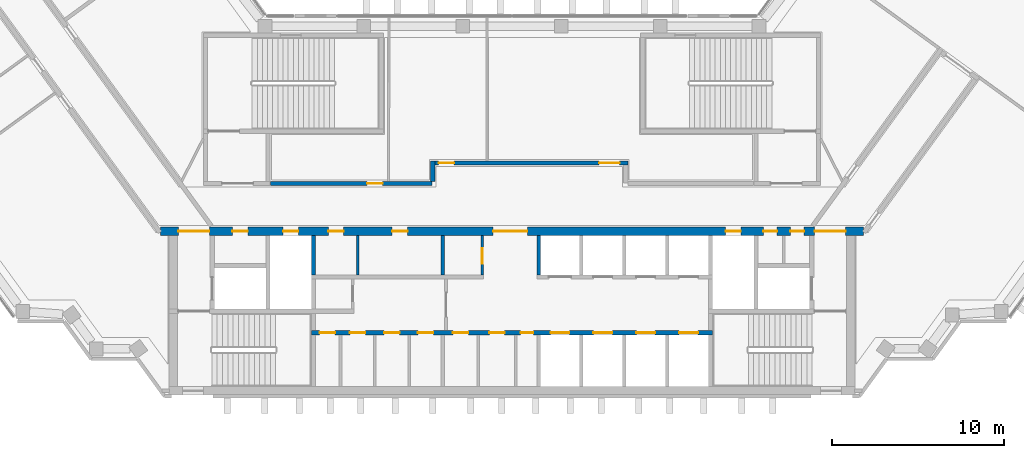
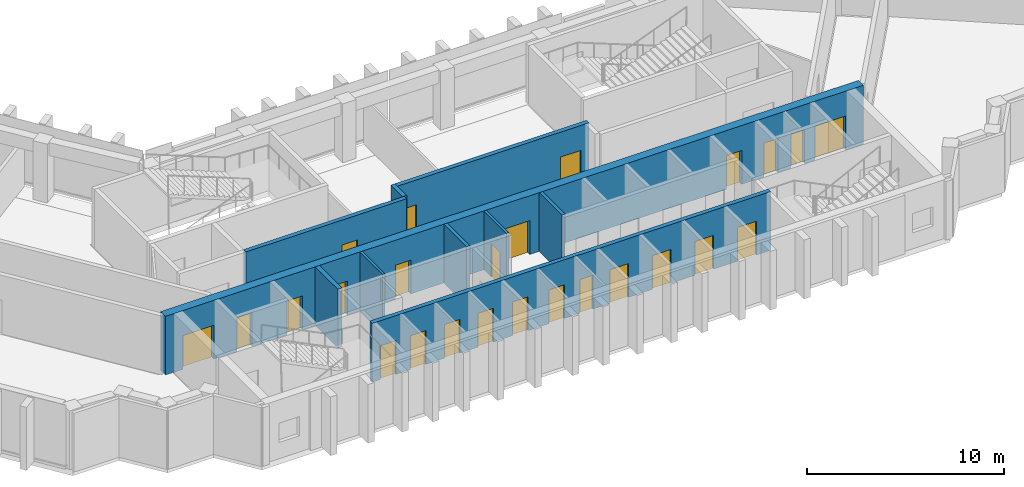
# One storey, part 5 of 9: 25 doors, 10 walls, 25 openings.
"""IFC4 building model written with IfcOpenShell, lengths in metres."""

from ifc_helpers import new_model, si_unit, direction, frame, frame_2d, origin, place, context, subcontext, project, spatial, rectangle, extrude, material, layer, layer_set, type_object, element, fill, save


model = new_model("IFC4")

# Units and contexts
model_context = context("Model", 3, precision=1e-05, world=origin(), true_north=direction((0.0, 1.0)))
body_context = subcontext(model_context, "Body", "Model", "MODEL_VIEW")
ifc_project = project(units=[si_unit("LENGTHUNIT", "METRE"), si_unit("AREAUNIT", "SQUARE_METRE"), si_unit("VOLUMEUNIT", "CUBIC_METRE"), si_unit("PLANEANGLEUNIT", "RADIAN"), si_unit("MASSUNIT", "GRAM", prefix="KILO")], contexts=[model_context])

# Site, building, storey
site_placement = place(None, origin())
site = spatial("IfcSite", under=ifc_project, at=site_placement, CompositionType="ELEMENT")
building_placement = place(site_placement, origin())
building = spatial("IfcBuilding", under=site, at=building_placement, Name="Quipu Civic Tower", CompositionType="ELEMENT")
storey_placement = place(building_placement, frame((0.0, 0.0, 194.0)))
storey = spatial("IfcBuildingStorey", under=building, at=storey_placement, Name="L45", CompositionType="ELEMENT", Elevation=194.0)

# Wall, openings, doors
ifc_material_1 = material(Name="Concrete C70/85", Category="concrete")
ifc_layer_1 = layer(ifc_material_1, 0.25)
ifc_layer_set_1 = layer_set([ifc_layer_1], Name="Concrete C70/85")
wall_type_1 = type_object("IfcWallType", Name="Core wall 250", PredefinedType="SHEAR", material=ifc_layer_set_1)
wall_1_placement = place(storey_placement, frame((11.699951171875, -7.375, 0.0), z_axis=(0.0, 0.0, 1.0), x_axis=(-1.0, 0.0, 0.0)))
wall_1 = element("IfcWall", 1, at=wall_1_placement, inside=storey, type_object=wall_type_1, Name="Core wall", PredefinedType="SHEAR", context=body_context, shape_type="SweptSolid", body=[
    extrude(rectangle(XDim=23.39990234375, YDim=0.25, at=frame_2d((11.699951171875, 0.0))), origin(), (0.0, 0.0, 1.0), 3.64990234375),
])
opening_1_placement = place(wall_1_placement, frame((22.011962890625, 0.0, 0.0)))
opening_1 = element("IfcOpeningElement", 2, at=opening_1_placement, cuts=wall_1, Name="Opening CD-01", PredefinedType="OPENING", context=body_context, shape_type="SweptSolid", body=[
    extrude(rectangle(XDim=0.89990234375, YDim=2.10009765625, at=frame_2d((0.449951171875, 1.050048828125))), frame((0.0, 0.135009765625, 0.0), z_axis=(0.0, -1.0, 0.0), x_axis=(1.0, 0.0, 0.0)), (0.0, 0.0, 1.0), 0.27001953125),
])
opening_2_placement = place(wall_1_placement, frame((20.25, 0.0, 0.0)))
opening_2 = element("IfcOpeningElement", 3, at=opening_2_placement, cuts=wall_1, Name="Opening CD-02", PredefinedType="OPENING", context=body_context, shape_type="SweptSolid", body=[
    extrude(rectangle(XDim=0.89990234375, YDim=2.10009765625, at=frame_2d((0.449951171875, 1.050048828125))), frame((0.0, 0.135009765625, 0.0), z_axis=(0.0, -1.0, 0.0), x_axis=(1.0, 0.0, 0.0)), (0.0, 0.0, 1.0), 0.27001953125),
])
opening_3_placement = place(wall_1_placement, frame((18.25, 0.0, 0.0)))
opening_3 = element("IfcOpeningElement", 4, at=opening_3_placement, cuts=wall_1, Name="Opening CD-03", PredefinedType="OPENING", context=body_context, shape_type="SweptSolid", body=[
    extrude(rectangle(XDim=0.89990234375, YDim=2.10009765625, at=frame_2d((0.449951171875, 1.050048828125))), frame((0.0, 0.135009765625, 0.0), z_axis=(0.0, -1.0, 0.0), x_axis=(1.0, 0.0, 0.0)), (0.0, 0.0, 1.0), 0.27001953125),
])
opening_4_placement = place(wall_1_placement, frame((16.287109375, 0.0, 0.0)))
opening_4 = element("IfcOpeningElement", 5, at=opening_4_placement, cuts=wall_1, Name="Opening CD-04", PredefinedType="OPENING", context=body_context, shape_type="SweptSolid", body=[
    extrude(rectangle(XDim=0.89990234375, YDim=2.10009765625, at=frame_2d((0.449951171875, 1.050048828125))), frame((0.0, 0.135009765625, 0.0), z_axis=(0.0, -1.0, 0.0), x_axis=(1.0, 0.0, 0.0)), (0.0, 0.0, 1.0), 0.27001953125),
])
opening_5_placement = place(wall_1_placement, frame((14.25, 0.0, 0.0)))
opening_5 = element("IfcOpeningElement", 6, at=opening_5_placement, cuts=wall_1, Name="Opening CD-05", PredefinedType="OPENING", context=body_context, shape_type="SweptSolid", body=[
    extrude(rectangle(XDim=0.89990234375, YDim=2.10009765625, at=frame_2d((0.449951171875, 1.050048828125))), frame((0.0, 0.135009765625, 0.0), z_axis=(0.0, -1.0, 0.0), x_axis=(1.0, 0.0, 0.0)), (0.0, 0.0, 1.0), 0.27001953125),
])
opening_6_placement = place(wall_1_placement, frame((12.125, 0.0, 0.0)))
opening_6 = element("IfcOpeningElement", 7, at=opening_6_placement, cuts=wall_1, Name="Opening CD-06", PredefinedType="OPENING", context=body_context, shape_type="SweptSolid", body=[
    extrude(rectangle(XDim=0.89990234375, YDim=2.10009765625, at=frame_2d((0.449951171875, 1.050048828125))), frame((0.0, 0.135009765625, 0.0), z_axis=(0.0, -1.0, 0.0), x_axis=(1.0, 0.0, 0.0)), (0.0, 0.0, 1.0), 0.27001953125),
])
opening_7_placement = place(wall_1_placement, frame((10.449951171875, 0.0, 0.0)))
opening_7 = element("IfcOpeningElement", 8, at=opening_7_placement, cuts=wall_1, Name="Opening CD-07", PredefinedType="OPENING", context=body_context, shape_type="SweptSolid", body=[
    extrude(rectangle(XDim=0.75, YDim=2.10009765625, at=frame_2d((0.375, 1.050048828125))), frame((0.0, 0.135009765625, 0.0), z_axis=(0.0, -1.0, 0.0), x_axis=(1.0, 0.0, 0.0)), (0.0, 0.0, 1.0), 0.27001953125),
])
opening_8_placement = place(wall_1_placement, frame((8.35009765625, 0.0, 0.0)))
opening_8 = element("IfcOpeningElement", 9, at=opening_8_placement, cuts=wall_1, Name="Opening LD-ML1", PredefinedType="OPENING", context=body_context, shape_type="SweptSolid", body=[
    extrude(rectangle(XDim=1.10009765625, YDim=2.10009765625, at=frame_2d((0.550048828125, 1.050048828125))), frame((0.0, 0.135009765625, 0.0), z_axis=(0.0, -1.0, 0.0), x_axis=(1.0, 0.0, 0.0)), (0.0, 0.0, 1.0), 0.27001953125),
])
opening_9_placement = place(wall_1_placement, frame((5.85009765625, 0.0, 0.0)))
opening_9 = element("IfcOpeningElement", 10, at=opening_9_placement, cuts=wall_1, Name="Opening LD-ML2", PredefinedType="OPENING", context=body_context, shape_type="SweptSolid", body=[
    extrude(rectangle(XDim=1.10009765625, YDim=2.10009765625, at=frame_2d((0.550048828125, 1.050048828125))), frame((0.0, 0.135009765625, 0.0), z_axis=(0.0, -1.0, 0.0), x_axis=(1.0, 0.0, 0.0)), (0.0, 0.0, 1.0), 0.27001953125),
])
opening_10_placement = place(wall_1_placement, frame((3.35009765625, 0.0, 0.0)))
opening_10 = element("IfcOpeningElement", 11, at=opening_10_placement, cuts=wall_1, Name="Opening LD-ML3", PredefinedType="OPENING", context=body_context, shape_type="SweptSolid", body=[
    extrude(rectangle(XDim=1.10009765625, YDim=2.10009765625, at=frame_2d((0.550048828125, 1.050048828125))), frame((0.0, 0.135009765625, 0.0), z_axis=(0.0, -1.0, 0.0), x_axis=(1.0, 0.0, 0.0)), (0.0, 0.0, 1.0), 0.27001953125),
])
opening_11_placement = place(wall_1_placement, frame((0.85009765625, 0.0, 0.0)))
opening_11 = element("IfcOpeningElement", 12, at=opening_11_placement, cuts=wall_1, Name="Opening LD-ML4", PredefinedType="OPENING", context=body_context, shape_type="SweptSolid", body=[
    extrude(rectangle(XDim=1.10009765625, YDim=2.10009765625, at=frame_2d((0.550048828125, 1.050048828125))), frame((0.0, 0.135009765625, 0.0), z_axis=(0.0, -1.0, 0.0), x_axis=(1.0, 0.0, 0.0)), (0.0, 0.0, 1.0), 0.27001953125),
])
ifc_material_2 = material(Name="Fire rated steel door", Category="steel")
door_type_1 = type_object("IfcDoorType", Name="Fire door FD60 750 x 2100", OperationType="NOTDEFINED", PredefinedType="DOOR", material=ifc_material_2)
door_1_placement = place(opening_7_placement, origin())
door_1 = element("IfcDoor", 13, at=door_1_placement, inside=storey, type_object=door_type_1, Name="Door", OperationType="SINGLE_SWING_LEFT", OverallHeight=2.10009765625, OverallWidth=0.75, PredefinedType="DOOR", context=body_context, shape_type="SweptSolid", body=[
    extrude(rectangle(XDim=0.75, YDim=2.10009765625, at=frame_2d((0.375, 1.050048828125))), frame((0.0, 0.02490234375, 0.0), z_axis=(0.0, -1.0, 0.0), x_axis=(1.0, 0.0, 0.0)), (0.0, 0.0, 1.0), 0.050048828125),
])
fill(opening_7, door_1)
ifc_material_3 = material(Name="Fire rated steel door", Category="steel")
door_type_2 = type_object("IfcDoorType", Name="Fire door FD60 900 x 2100", OperationType="NOTDEFINED", PredefinedType="DOOR", material=ifc_material_3)
door_2_placement = place(opening_1_placement, origin())
door_2 = element("IfcDoor", 14, at=door_2_placement, inside=storey, type_object=door_type_2, Name="Door", OperationType="SINGLE_SWING_RIGHT", OverallHeight=2.10009765625, OverallWidth=0.89990234375, PredefinedType="DOOR", context=body_context, shape_type="SweptSolid", body=[
    extrude(rectangle(XDim=0.89990234375, YDim=2.10009765625, at=frame_2d((0.449951171875, 1.050048828125))), frame((0.0, 0.02490234375, 0.0), z_axis=(0.0, -1.0, 0.0), x_axis=(1.0, 0.0, 0.0)), (0.0, 0.0, 1.0), 0.050048828125),
])
fill(opening_1, door_2)
door_3_placement = place(opening_2_placement, origin())
door_3 = element("IfcDoor", 15, at=door_3_placement, inside=storey, type_object=door_type_2, Name="Door", OperationType="SINGLE_SWING_RIGHT", OverallHeight=2.10009765625, OverallWidth=0.89990234375, PredefinedType="DOOR", context=body_context, shape_type="SweptSolid", body=[
    extrude(rectangle(XDim=0.89990234375, YDim=2.10009765625, at=frame_2d((0.449951171875, 1.050048828125))), frame((0.0, 0.02490234375, 0.0), z_axis=(0.0, -1.0, 0.0), x_axis=(1.0, 0.0, 0.0)), (0.0, 0.0, 1.0), 0.050048828125),
])
fill(opening_2, door_3)
door_4_placement = place(opening_3_placement, origin())
door_4 = element("IfcDoor", 16, at=door_4_placement, inside=storey, type_object=door_type_2, Name="Door", OperationType="SINGLE_SWING_RIGHT", OverallHeight=2.10009765625, OverallWidth=0.89990234375, PredefinedType="DOOR", context=body_context, shape_type="SweptSolid", body=[
    extrude(rectangle(XDim=0.89990234375, YDim=2.10009765625, at=frame_2d((0.449951171875, 1.050048828125))), frame((0.0, 0.02490234375, 0.0), z_axis=(0.0, -1.0, 0.0), x_axis=(1.0, 0.0, 0.0)), (0.0, 0.0, 1.0), 0.050048828125),
])
fill(opening_3, door_4)
door_5_placement = place(opening_4_placement, origin())
door_5 = element("IfcDoor", 17, at=door_5_placement, inside=storey, type_object=door_type_2, Name="Door", OperationType="SINGLE_SWING_RIGHT", OverallHeight=2.10009765625, OverallWidth=0.89990234375, PredefinedType="DOOR", context=body_context, shape_type="SweptSolid", body=[
    extrude(rectangle(XDim=0.89990234375, YDim=2.10009765625, at=frame_2d((0.449951171875, 1.050048828125))), frame((0.0, 0.02490234375, 0.0), z_axis=(0.0, -1.0, 0.0), x_axis=(1.0, 0.0, 0.0)), (0.0, 0.0, 1.0), 0.050048828125),
])
fill(opening_4, door_5)
door_6_placement = place(opening_5_placement, origin())
door_6 = element("IfcDoor", 18, at=door_6_placement, inside=storey, type_object=door_type_2, Name="WC door", OperationType="SINGLE_SWING_RIGHT", OverallHeight=2.10009765625, OverallWidth=0.89990234375, PredefinedType="DOOR", context=body_context, shape_type="SweptSolid", body=[
    extrude(rectangle(XDim=0.89990234375, YDim=2.10009765625, at=frame_2d((0.449951171875, 1.050048828125))), frame((0.0, 0.02490234375, 0.0), z_axis=(0.0, -1.0, 0.0), x_axis=(1.0, 0.0, 0.0)), (0.0, 0.0, 1.0), 0.050048828125),
])
fill(opening_5, door_6)
door_7_placement = place(opening_6_placement, origin())
door_7 = element("IfcDoor", 19, at=door_7_placement, inside=storey, type_object=door_type_2, Name="WC door", OperationType="SINGLE_SWING_RIGHT", OverallHeight=2.10009765625, OverallWidth=0.89990234375, PredefinedType="DOOR", context=body_context, shape_type="SweptSolid", body=[
    extrude(rectangle(XDim=0.89990234375, YDim=2.10009765625, at=frame_2d((0.449951171875, 1.050048828125))), frame((0.0, 0.02490234375, 0.0), z_axis=(0.0, -1.0, 0.0), x_axis=(1.0, 0.0, 0.0)), (0.0, 0.0, 1.0), 0.050048828125),
])
fill(opening_6, door_7)
ifc_material_4 = material(Name="Stainless steel", Category="steel")
door_type_3 = type_object("IfcDoorType", Name="Lift landing door 1100 x 2100", OperationType="DOUBLE_DOOR_SLIDING", PredefinedType="DOOR", material=ifc_material_4)
door_8_placement = place(opening_8_placement, origin())
door_8 = element("IfcDoor", 20, at=door_8_placement, inside=storey, type_object=door_type_3, Name="Landing door ML1", OperationType="DOUBLE_DOOR_SLIDING", OverallHeight=2.10009765625, OverallWidth=1.10009765625, PredefinedType="DOOR", context=body_context, shape_type="SweptSolid", body=[
    extrude(rectangle(XDim=1.10009765625, YDim=2.10009765625, at=frame_2d((0.550048828125, 1.050048828125))), frame((0.0, 0.02490234375, 0.0), z_axis=(0.0, -1.0, 0.0), x_axis=(1.0, 0.0, 0.0)), (0.0, 0.0, 1.0), 0.050048828125),
])
fill(opening_8, door_8)
door_9_placement = place(opening_9_placement, origin())
door_9 = element("IfcDoor", 21, at=door_9_placement, inside=storey, type_object=door_type_3, Name="Landing door ML2", OperationType="DOUBLE_DOOR_SLIDING", OverallHeight=2.10009765625, OverallWidth=1.10009765625, PredefinedType="DOOR", context=body_context, shape_type="SweptSolid", body=[
    extrude(rectangle(XDim=1.10009765625, YDim=2.10009765625, at=frame_2d((0.550048828125, 1.050048828125))), frame((0.0, 0.02490234375, 0.0), z_axis=(0.0, -1.0, 0.0), x_axis=(1.0, 0.0, 0.0)), (0.0, 0.0, 1.0), 0.050048828125),
])
fill(opening_9, door_9)
door_10_placement = place(opening_10_placement, origin())
door_10 = element("IfcDoor", 22, at=door_10_placement, inside=storey, type_object=door_type_3, Name="Landing door ML3", OperationType="DOUBLE_DOOR_SLIDING", OverallHeight=2.10009765625, OverallWidth=1.10009765625, PredefinedType="DOOR", context=body_context, shape_type="SweptSolid", body=[
    extrude(rectangle(XDim=1.10009765625, YDim=2.10009765625, at=frame_2d((0.550048828125, 1.050048828125))), frame((0.0, 0.02490234375, 0.0), z_axis=(0.0, -1.0, 0.0), x_axis=(1.0, 0.0, 0.0)), (0.0, 0.0, 1.0), 0.050048828125),
])
fill(opening_10, door_10)
door_11_placement = place(opening_11_placement, origin())
door_11 = element("IfcDoor", 23, at=door_11_placement, inside=storey, type_object=door_type_3, Name="Landing door ML4", OperationType="DOUBLE_DOOR_SLIDING", OverallHeight=2.10009765625, OverallWidth=1.10009765625, PredefinedType="DOOR", context=body_context, shape_type="SweptSolid", body=[
    extrude(rectangle(XDim=1.10009765625, YDim=2.10009765625, at=frame_2d((0.550048828125, 1.050048828125))), frame((0.0, 0.02490234375, 0.0), z_axis=(0.0, -1.0, 0.0), x_axis=(1.0, 0.0, 0.0)), (0.0, 0.0, 1.0), 0.050048828125),
])
fill(opening_11, door_11)

# Wall
wall_2_placement = place(storey_placement, frame((-11.574951171875, -4.0, 0.0), z_axis=(0.0, 0.0, 1.0), x_axis=(0.0, 1.0, 0.0)))
element("IfcWall", 24, at=wall_2_placement, inside=storey, type_object=wall_type_1, Name="Core wall", PredefinedType="SHEAR", context=body_context, shape_type="SweptSolid", body=[
    extrude(rectangle(XDim=2.300048828125, YDim=0.25, at=frame_2d((1.14990234375, 0.0))), origin(), (0.0, 0.0, 1.0), 3.64990234375),
])

# Wall, openings, doors
ifc_material_5 = material(Name="Concrete C70/85", Category="concrete")
ifc_layer_2 = layer(ifc_material_5, 0.5)
ifc_layer_set_2 = layer_set([ifc_layer_2], Name="Concrete C70/85")
wall_type_2 = type_object("IfcWallType", Name="Core wall 500", PredefinedType="SHEAR", material=ifc_layer_set_2)
wall_3_placement = place(storey_placement, frame((20.489990234375, -1.449951171875, 0.0), z_axis=(0.0, 0.0, 1.0), x_axis=(-1.0, 0.0, 0.0)))
wall_3 = element("IfcWall", 25, at=wall_3_placement, inside=storey, type_object=wall_type_2, Name="Core wall", PredefinedType="SHEAR", context=body_context, shape_type="SweptSolid", body=[
    extrude(rectangle(XDim=40.97998046875, YDim=0.5, at=frame_2d((20.489990234375, 0.0))), origin(), (0.0, 0.0, 1.0), 3.64990234375),
])
opening_12_placement = place(wall_3_placement, frame((38.139892578125, 0.0, 0.0)))
opening_12 = element("IfcOpeningElement", 26, at=opening_12_placement, cuts=wall_3, Name="Opening CD-13", PredefinedType="OPENING", context=body_context, shape_type="SweptSolid", body=[
    extrude(rectangle(XDim=1.800048828125, YDim=2.10009765625, at=frame_2d((0.89990234375, 1.050048828125))), frame((0.0, 0.260009765625, 0.0), z_axis=(0.0, -1.0, 0.0), x_axis=(1.0, 0.0, 0.0)), (0.0, 0.0, 1.0), 0.52001953125),
])
opening_13_placement = place(wall_3_placement, frame((35.889892578125, 0.0, 0.0)))
opening_13 = element("IfcOpeningElement", 27, at=opening_13_placement, cuts=wall_3, Name="Opening CD-14", PredefinedType="OPENING", context=body_context, shape_type="SweptSolid", body=[
    extrude(rectangle(XDim=0.89990234375, YDim=2.10009765625, at=frame_2d((0.449951171875, 1.050048828125))), frame((0.0, 0.260009765625, 0.0), z_axis=(0.0, -1.0, 0.0), x_axis=(1.0, 0.0, 0.0)), (0.0, 0.0, 1.0), 0.52001953125),
])
opening_14_placement = place(wall_3_placement, frame((32.93994140625, 0.0, 0.0)))
opening_14 = element("IfcOpeningElement", 28, at=opening_14_placement, cuts=wall_3, Name="Opening CD-15", PredefinedType="OPENING", context=body_context, shape_type="SweptSolid", body=[
    extrude(rectangle(XDim=0.89990234375, YDim=2.10009765625, at=frame_2d((0.449951171875, 1.050048828125))), frame((0.0, 0.260009765625, 0.0), z_axis=(0.0, -1.0, 0.0), x_axis=(1.0, 0.0, 0.0)), (0.0, 0.0, 1.0), 0.52001953125),
])
opening_15_placement = place(wall_3_placement, frame((30.302490234375, 0.0, 0.0)))
opening_15 = element("IfcOpeningElement", 29, at=opening_15_placement, cuts=wall_3, Name="Opening CD-16", PredefinedType="OPENING", context=body_context, shape_type="SweptSolid", body=[
    extrude(rectangle(XDim=0.89990234375, YDim=2.10009765625, at=frame_2d((0.449951171875, 1.050048828125))), frame((0.0, 0.260009765625, 0.0), z_axis=(0.0, -1.0, 0.0), x_axis=(1.0, 0.0, 0.0)), (0.0, 0.0, 1.0), 0.52001953125),
])
opening_16_placement = place(wall_3_placement, frame((26.577392578125, 0.0, 0.0)))
opening_16 = element("IfcOpeningElement", 30, at=opening_16_placement, cuts=wall_3, Name="Opening CD-17", PredefinedType="OPENING", context=body_context, shape_type="SweptSolid", body=[
    extrude(rectangle(XDim=0.89990234375, YDim=2.10009765625, at=frame_2d((0.449951171875, 1.050048828125))), frame((0.0, 0.260009765625, 0.0), z_axis=(0.0, -1.0, 0.0), x_axis=(1.0, 0.0, 0.0)), (0.0, 0.0, 1.0), 0.52001953125),
])
opening_17_placement = place(wall_3_placement, frame((19.590087890625, 0.0, 0.0)))
opening_17 = element("IfcOpeningElement", 31, at=opening_17_placement, cuts=wall_3, Name="Opening CD-18", PredefinedType="OPENING", context=body_context, shape_type="SweptSolid", body=[
    extrude(rectangle(XDim=2.0, YDim=2.10009765625, at=frame_2d((1.0, 1.050048828125))), frame((0.0, 0.260009765625, 0.0), z_axis=(0.0, -1.0, 0.0), x_axis=(1.0, 0.0, 0.0)), (0.0, 0.0, 1.0), 0.52001953125),
])
opening_18_placement = place(wall_3_placement, frame((7.139892578125, 0.0, 0.0)))
opening_18 = element("IfcOpeningElement", 32, at=opening_18_placement, cuts=wall_3, Name="Opening CD-19", PredefinedType="OPENING", context=body_context, shape_type="SweptSolid", body=[
    extrude(rectangle(XDim=0.89990234375, YDim=2.10009765625, at=frame_2d((0.449951171875, 1.050048828125))), frame((0.0, 0.260009765625, 0.0), z_axis=(0.0, -1.0, 0.0), x_axis=(1.0, 0.0, 0.0)), (0.0, 0.0, 1.0), 0.52001953125),
])
opening_19_placement = place(wall_3_placement, frame((5.027587890625, 0.0, 0.0)))
opening_19 = element("IfcOpeningElement", 33, at=opening_19_placement, cuts=wall_3, Name="Opening CD-20", PredefinedType="OPENING", context=body_context, shape_type="SweptSolid", body=[
    extrude(rectangle(XDim=0.800048828125, YDim=2.10009765625, at=frame_2d((0.39990234375, 1.050048828125))), frame((0.0, 0.260009765625, 0.0), z_axis=(0.0, -1.0, 0.0), x_axis=(1.0, 0.0, 0.0)), (0.0, 0.0, 1.0), 0.52001953125),
])
opening_20_placement = place(wall_3_placement, frame((3.452392578125, 0.0, 0.0)))
opening_20 = element("IfcOpeningElement", 34, at=opening_20_placement, cuts=wall_3, Name="Opening CD-21", PredefinedType="OPENING", context=body_context, shape_type="SweptSolid", body=[
    extrude(rectangle(XDim=0.800048828125, YDim=2.10009765625, at=frame_2d((0.39990234375, 1.050048828125))), frame((0.0, 0.260009765625, 0.0), z_axis=(0.0, -1.0, 0.0), x_axis=(1.0, 0.0, 0.0)), (0.0, 0.0, 1.0), 0.52001953125),
])
opening_21_placement = place(wall_3_placement, frame((1.0400390625, 0.0, 0.0)))
opening_21 = element("IfcOpeningElement", 35, at=opening_21_placement, cuts=wall_3, Name="Opening CD-22", PredefinedType="OPENING", context=body_context, shape_type="SweptSolid", body=[
    extrude(rectangle(XDim=1.800048828125, YDim=2.10009765625, at=frame_2d((0.89990234375, 1.050048828125))), frame((0.0, 0.260009765625, 0.0), z_axis=(0.0, -1.0, 0.0), x_axis=(1.0, 0.0, 0.0)), (0.0, 0.0, 1.0), 0.52001953125),
])
ifc_material_6 = material(Name="Fire rated steel door", Category="steel")
door_type_4 = type_object("IfcDoorType", Name="Fire door FD60 800 x 2100", OperationType="NOTDEFINED", PredefinedType="DOOR", material=ifc_material_6)
door_12_placement = place(opening_19_placement, origin())
door_12 = element("IfcDoor", 36, at=door_12_placement, inside=storey, type_object=door_type_4, Name="Door", OperationType="SINGLE_SWING_LEFT", OverallHeight=2.10009765625, OverallWidth=0.800048828125, PredefinedType="DOOR", context=body_context, shape_type="SweptSolid", body=[
    extrude(rectangle(XDim=0.800048828125, YDim=2.10009765625, at=frame_2d((0.39990234375, 1.050048828125))), frame((0.0, 0.02490234375, 0.0), z_axis=(0.0, -1.0, 0.0), x_axis=(1.0, 0.0, 0.0)), (0.0, 0.0, 1.0), 0.050048828125),
])
fill(opening_19, door_12)
door_13_placement = place(opening_20_placement, origin())
door_13 = element("IfcDoor", 37, at=door_13_placement, inside=storey, type_object=door_type_4, Name="Door", OperationType="SINGLE_SWING_LEFT", OverallHeight=2.10009765625, OverallWidth=0.800048828125, PredefinedType="DOOR", context=body_context, shape_type="SweptSolid", body=[
    extrude(rectangle(XDim=0.800048828125, YDim=2.10009765625, at=frame_2d((0.39990234375, 1.050048828125))), frame((0.0, 0.02490234375, 0.0), z_axis=(0.0, -1.0, 0.0), x_axis=(1.0, 0.0, 0.0)), (0.0, 0.0, 1.0), 0.050048828125),
])
fill(opening_20, door_13)
door_14_placement = place(opening_13_placement, origin())
door_14 = element("IfcDoor", 38, at=door_14_placement, inside=storey, type_object=door_type_2, Name="Door", OperationType="SINGLE_SWING_RIGHT", OverallHeight=2.10009765625, OverallWidth=0.89990234375, PredefinedType="DOOR", context=body_context, shape_type="SweptSolid", body=[
    extrude(rectangle(XDim=0.89990234375, YDim=2.10009765625, at=frame_2d((0.449951171875, 1.050048828125))), frame((0.0, 0.02490234375, 0.0), z_axis=(0.0, -1.0, 0.0), x_axis=(1.0, 0.0, 0.0)), (0.0, 0.0, 1.0), 0.050048828125),
])
fill(opening_13, door_14)
door_15_placement = place(opening_14_placement, origin())
door_15 = element("IfcDoor", 39, at=door_15_placement, inside=storey, type_object=door_type_2, Name="Riser door", OperationType="SINGLE_SWING_RIGHT", OverallHeight=2.10009765625, OverallWidth=0.89990234375, PredefinedType="DOOR", context=body_context, shape_type="SweptSolid", body=[
    extrude(rectangle(XDim=0.89990234375, YDim=2.10009765625, at=frame_2d((0.449951171875, 1.050048828125))), frame((0.0, 0.02490234375, 0.0), z_axis=(0.0, -1.0, 0.0), x_axis=(1.0, 0.0, 0.0)), (0.0, 0.0, 1.0), 0.050048828125),
])
fill(opening_14, door_15)
door_16_placement = place(opening_15_placement, origin())
door_16 = element("IfcDoor", 40, at=door_16_placement, inside=storey, type_object=door_type_2, Name="Door", OperationType="SINGLE_SWING_RIGHT", OverallHeight=2.10009765625, OverallWidth=0.89990234375, PredefinedType="DOOR", context=body_context, shape_type="SweptSolid", body=[
    extrude(rectangle(XDim=0.89990234375, YDim=2.10009765625, at=frame_2d((0.449951171875, 1.050048828125))), frame((0.0, 0.02490234375, 0.0), z_axis=(0.0, -1.0, 0.0), x_axis=(1.0, 0.0, 0.0)), (0.0, 0.0, 1.0), 0.050048828125),
])
fill(opening_15, door_16)
door_17_placement = place(opening_16_placement, origin())
door_17 = element("IfcDoor", 41, at=door_17_placement, inside=storey, type_object=door_type_2, Name="Door", OperationType="SINGLE_SWING_RIGHT", OverallHeight=2.10009765625, OverallWidth=0.89990234375, PredefinedType="DOOR", context=body_context, shape_type="SweptSolid", body=[
    extrude(rectangle(XDim=0.89990234375, YDim=2.10009765625, at=frame_2d((0.449951171875, 1.050048828125))), frame((0.0, 0.02490234375, 0.0), z_axis=(0.0, -1.0, 0.0), x_axis=(1.0, 0.0, 0.0)), (0.0, 0.0, 1.0), 0.050048828125),
])
fill(opening_16, door_17)
door_18_placement = place(opening_18_placement, origin())
door_18 = element("IfcDoor", 42, at=door_18_placement, inside=storey, type_object=door_type_2, Name="Riser door", OperationType="SINGLE_SWING_LEFT", OverallHeight=2.10009765625, OverallWidth=0.89990234375, PredefinedType="DOOR", context=body_context, shape_type="SweptSolid", body=[
    extrude(rectangle(XDim=0.89990234375, YDim=2.10009765625, at=frame_2d((0.449951171875, 1.050048828125))), frame((0.0, 0.02490234375, 0.0), z_axis=(0.0, -1.0, 0.0), x_axis=(1.0, 0.0, 0.0)), (0.0, 0.0, 1.0), 0.050048828125),
])
fill(opening_18, door_18)
ifc_material_7 = material(Name="Fire rated steel door", Category="steel")
door_type_5 = type_object("IfcDoorType", Name="Fire door FD90 double 1800 x 2100", OperationType="NOTDEFINED", PredefinedType="DOOR", material=ifc_material_7)
door_19_placement = place(opening_12_placement, origin())
door_19 = element("IfcDoor", 43, at=door_19_placement, inside=storey, type_object=door_type_5, Name="Lobby door", OperationType="DOUBLE_DOOR_SINGLE_SWING", OverallHeight=2.10009765625, OverallWidth=1.800048828125, PredefinedType="DOOR", context=body_context, shape_type="SweptSolid", body=[
    extrude(rectangle(XDim=1.800048828125, YDim=2.10009765625, at=frame_2d((0.89990234375, 1.050048828125))), frame((0.0, 0.02490234375, 0.0), z_axis=(0.0, -1.0, 0.0), x_axis=(1.0, 0.0, 0.0)), (0.0, 0.0, 1.0), 0.050048828125),
])
fill(opening_12, door_19)
door_20_placement = place(opening_21_placement, origin())
door_20 = element("IfcDoor", 44, at=door_20_placement, inside=storey, type_object=door_type_5, Name="Lobby door", OperationType="DOUBLE_DOOR_SINGLE_SWING", OverallHeight=2.10009765625, OverallWidth=1.800048828125, PredefinedType="DOOR", context=body_context, shape_type="SweptSolid", body=[
    extrude(rectangle(XDim=1.800048828125, YDim=2.10009765625, at=frame_2d((0.89990234375, 1.050048828125))), frame((0.0, 0.02490234375, 0.0), z_axis=(0.0, -1.0, 0.0), x_axis=(1.0, 0.0, 0.0)), (0.0, 0.0, 1.0), 0.050048828125),
])
fill(opening_21, door_20)
ifc_material_8 = material(Name="Fire rated steel door", Category="steel")
door_type_6 = type_object("IfcDoorType", Name="Fire door FD90 double 2000 x 2100", OperationType="NOTDEFINED", PredefinedType="DOOR", material=ifc_material_8)
door_21_placement = place(opening_17_placement, origin())
door_21 = element("IfcDoor", 45, at=door_21_placement, inside=storey, type_object=door_type_6, Name="Lobby door", OperationType="DOUBLE_DOOR_SINGLE_SWING", OverallHeight=2.10009765625, OverallWidth=2.0, PredefinedType="DOOR", context=body_context, shape_type="SweptSolid", body=[
    extrude(rectangle(XDim=2.0, YDim=2.10009765625, at=frame_2d((1.0, 1.050048828125))), frame((0.0, 0.02490234375, 0.0), z_axis=(0.0, -1.0, 0.0), x_axis=(1.0, 0.0, 0.0)), (0.0, 0.0, 1.0), 0.050048828125),
])
fill(opening_17, door_21)

# Wall, opening, door
ifc_material_9 = material(Name="Concrete C50/60", Category="concrete")
ifc_layer_3 = layer(ifc_material_9, 0.25)
ifc_layer_set_3 = layer_set([ifc_layer_3], Name="Concrete C50/60")
wall_type_3 = type_object("IfcWallType", Name="Corridor wall 250 concrete", PredefinedType="SOLIDWALL", material=ifc_layer_set_3)
wall_4_placement = place(storey_placement, frame((-14.090087890625, 1.324951171875, 0.0), z_axis=(0.0, 0.0, 1.0), x_axis=(1.0, 0.0, 0.0)))
wall_4 = element("IfcWall", 46, at=wall_4_placement, inside=storey, type_object=wall_type_3, Name="Corridor wall C07", PredefinedType="SOLIDWALL", context=body_context, shape_type="SweptSolid", body=[
    extrude(rectangle(XDim=9.431396484375, YDim=0.25, at=frame_2d((4.7158203125, 0.0))), origin(), (0.0, 0.0, 1.0), 3.64990234375),
])
opening_22_placement = place(wall_4_placement, frame((5.64208984375, 0.0, 0.0)))
opening_22 = element("IfcOpeningElement", 47, at=opening_22_placement, cuts=wall_4, Name="Opening D004", PredefinedType="OPENING", context=body_context, shape_type="SweptSolid", body=[
    extrude(rectangle(XDim=0.89990234375, YDim=2.10009765625, at=frame_2d((0.449951171875, 1.050048828125))), frame((0.0, 0.135009765625, 0.0), z_axis=(0.0, -1.0, 0.0), x_axis=(1.0, 0.0, 0.0)), (0.0, 0.0, 1.0), 0.27001953125),
])
ifc_material_10 = material(Name="Fire rated timber door set with metal frame", Category="wood")
door_type_7 = type_object("IfcDoorType", Name="Single door 900 x 2100 FD60", OperationType="NOTDEFINED", PredefinedType="DOOR", material=ifc_material_10)
door_22_placement = place(opening_22_placement, origin())
door_22 = element("IfcDoor", 48, at=door_22_placement, inside=storey, type_object=door_type_7, Name="Door D004", OperationType="SINGLE_SWING_RIGHT", OverallHeight=2.10009765625, OverallWidth=0.89990234375, PredefinedType="DOOR", context=body_context, shape_type="SweptSolid", body=[
    extrude(rectangle(XDim=0.89990234375, YDim=2.10009765625, at=frame_2d((0.449951171875, 1.050048828125))), frame((0.0, 0.02490234375, 0.0), z_axis=(0.0, -1.0, 0.0), x_axis=(1.0, 0.0, 0.0)), (0.0, 0.0, 1.0), 0.050048828125),
])
fill(opening_22, door_22)

# Wall
wall_5_placement = place(storey_placement, frame((-4.625, 1.45361328125, 0.0), z_axis=(0.0, 0.0, 1.0), x_axis=(0.0, 1.0, 0.0)))
element("IfcWall", 49, at=wall_5_placement, inside=storey, type_object=wall_type_3, Name="Corridor wall C08", PredefinedType="SOLIDWALL", context=body_context, shape_type="SweptSolid", body=[
    extrude(rectangle(XDim=1.1962890625, YDim=0.25, at=frame_2d((0.59814453125, 0.0))), origin(), (0.0, 0.0, 1.0), 3.64990234375),
])

# Wall, openings, doors
wall_6_placement = place(storey_placement, frame((-4.5, 2.52490234375, 0.0), z_axis=(0.0, 0.0, 1.0), x_axis=(1.0, 0.0, 0.0)))
wall_6 = element("IfcWall", 50, at=wall_6_placement, inside=storey, type_object=wall_type_3, Name="Corridor wall C09", PredefinedType="SOLIDWALL", context=body_context, shape_type="SweptSolid", body=[
    extrude(rectangle(XDim=11.25, YDim=0.25, at=frame_2d((5.625, 0.0))), origin(), (0.0, 0.0, 1.0), 3.64990234375),
])
opening_23_placement = place(wall_6_placement, frame((0.22412109375, 0.0, 0.0)))
opening_23 = element("IfcOpeningElement", 51, at=opening_23_placement, cuts=wall_6, Name="Opening D005", PredefinedType="OPENING", context=body_context, shape_type="SweptSolid", body=[
    extrude(rectangle(XDim=0.89990234375, YDim=2.10009765625, at=frame_2d((0.449951171875, 1.050048828125))), frame((0.0, 0.135009765625, 0.0), z_axis=(0.0, -1.0, 0.0), x_axis=(1.0, 0.0, 0.0)), (0.0, 0.0, 1.0), 0.27001953125),
])
opening_24_placement = place(wall_6_placement, frame((9.575927734375, 0.0, 0.0)))
opening_24 = element("IfcOpeningElement", 52, at=opening_24_placement, cuts=wall_6, Name="Opening D006", PredefinedType="OPENING", context=body_context, shape_type="SweptSolid", body=[
    extrude(rectangle(XDim=1.199951171875, YDim=2.10009765625, at=frame_2d((0.60009765625, 1.050048828125))), frame((0.0, 0.135009765625, 0.0), z_axis=(0.0, -1.0, 0.0), x_axis=(1.0, 0.0, 0.0)), (0.0, 0.0, 1.0), 0.27001953125),
])
ifc_material_11 = material(Name="Fire rated timber door set with metal frame", Category="wood")
door_type_8 = type_object("IfcDoorType", Name="Single door 1200 x 2100 FD60", OperationType="NOTDEFINED", PredefinedType="DOOR", material=ifc_material_11)
door_23_placement = place(opening_24_placement, origin())
door_23 = element("IfcDoor", 53, at=door_23_placement, inside=storey, type_object=door_type_8, Name="Door D006", OperationType="SINGLE_SWING_RIGHT", OverallHeight=2.10009765625, OverallWidth=1.199951171875, PredefinedType="DOOR", context=body_context, shape_type="SweptSolid", body=[
    extrude(rectangle(XDim=1.199951171875, YDim=2.10009765625, at=frame_2d((0.60009765625, 1.050048828125))), frame((0.0, 0.02490234375, 0.0), z_axis=(0.0, -1.0, 0.0), x_axis=(1.0, 0.0, 0.0)), (0.0, 0.0, 1.0), 0.050048828125),
])
fill(opening_24, door_23)
door_24_placement = place(opening_23_placement, origin())
door_24 = element("IfcDoor", 54, at=door_24_placement, inside=storey, type_object=door_type_7, Name="Door D005", OperationType="SINGLE_SWING_LEFT", OverallHeight=2.10009765625, OverallWidth=0.89990234375, PredefinedType="DOOR", context=body_context, shape_type="SweptSolid", body=[
    extrude(rectangle(XDim=0.89990234375, YDim=2.10009765625, at=frame_2d((0.449951171875, 1.050048828125))), frame((0.0, 0.02490234375, 0.0), z_axis=(0.0, -1.0, 0.0), x_axis=(1.0, 0.0, 0.0)), (0.0, 0.0, 1.0), 0.050048828125),
])
fill(opening_23, door_24)

# Wall
ifc_material_12 = material(Name="Gypsum board partition")
ifc_layer_4 = layer(ifc_material_12, 0.14990234375)
ifc_layer_set_4 = layer_set([ifc_layer_4], Name="Gypsum board partition")
wall_type_4 = type_object("IfcWallType", Name="Partition 150", PredefinedType="PARTITIONING", material=ifc_layer_set_4)
wall_7_placement = place(storey_placement, frame((-9.0, -4.0, 0.0), z_axis=(0.0, 0.0, 1.0), x_axis=(0.0, 1.0, 0.0)))
element("IfcWall", 55, at=wall_7_placement, inside=storey, type_object=wall_type_4, Name="Partition", PredefinedType="PARTITIONING", context=body_context, shape_type="SweptSolid", body=[
    extrude(rectangle(XDim=2.300048828125, YDim=0.14990234375, at=frame_2d((1.14990234375, 0.0))), origin(), (0.0, 0.0, 1.0), 3.64990234375),
])

# Wall, opening, door
wall_8_placement = place(storey_placement, frame((-1.72509765625, -1.699951171875, 0.0), z_axis=(0.0, 0.0, 1.0), x_axis=(0.0, -1.0, 0.0)))
wall_8 = element("IfcWall", 56, at=wall_8_placement, inside=storey, type_object=wall_type_4, Name="Partition", PredefinedType="PARTITIONING", context=body_context, shape_type="SweptSolid", body=[
    extrude(rectangle(XDim=2.300048828125, YDim=0.14990234375, at=frame_2d((1.14990234375, 0.0))), origin(), (0.0, 0.0, 1.0), 3.64990234375),
])
opening_25_placement = place(wall_8_placement, frame((0.75, 0.0, 0.0)))
opening_25 = element("IfcOpeningElement", 57, at=opening_25_placement, cuts=wall_8, Name="Opening CD-12", PredefinedType="OPENING", context=body_context, shape_type="SweptSolid", body=[
    extrude(rectangle(XDim=0.89990234375, YDim=2.10009765625, at=frame_2d((0.449951171875, 1.050048828125))), frame((0.0, 0.0849609375, 0.0), z_axis=(0.0, -1.0, 0.0), x_axis=(1.0, 0.0, 0.0)), (0.0, 0.0, 1.0), 0.169921875),
])
door_25_placement = place(opening_25_placement, origin())
door_25 = element("IfcDoor", 58, at=door_25_placement, inside=storey, type_object=door_type_2, Name="WC door", OperationType="SINGLE_SWING_RIGHT", OverallHeight=2.10009765625, OverallWidth=0.89990234375, PredefinedType="DOOR", context=body_context, shape_type="SweptSolid", body=[
    extrude(rectangle(XDim=0.89990234375, YDim=2.10009765625, at=frame_2d((0.449951171875, 1.050048828125))), frame((0.0, 0.02490234375, 0.0), z_axis=(0.0, -1.0, 0.0), x_axis=(1.0, 0.0, 0.0)), (0.0, 0.0, 1.0), 0.050048828125),
])
fill(opening_25, door_25)

# Walls
ifc_material_13 = material(Name="Concrete C40/50", Category="concrete")
ifc_layer_5 = layer(ifc_material_13, 0.199951171875)
ifc_layer_set_5 = layer_set([ifc_layer_5], Name="Concrete C40/50")
wall_type_5 = type_object("IfcWallType", Name="Shaft wall 200", PredefinedType="SOLIDWALL", material=ifc_layer_set_5)
for number, where, z_axis, x_axis, name in (
    (59, (-4.050048828125, -4.0, 0.0), (0.0, 0.0, 1.0), (0.0, 1.0, 0.0), "Shaft wall"),
    (60, (1.550048828125, -4.0, 0.0), (0.0, 0.0, 1.0), (0.0, 1.0, 0.0), "Shaft wall"),
):
    element("IfcWall", number, at=place(storey_placement, frame(where, z_axis=z_axis, x_axis=x_axis)), inside=storey, type_object=wall_type_5, Name=name, PredefinedType="SOLIDWALL", context=body_context, shape_type="SweptSolid", body=[
        extrude(rectangle(XDim=2.300048828125, YDim=0.199951171875, at=frame_2d((1.14990234375, 0.0))), origin(), (0.0, 0.0, 1.0), 3.64990234375),
    ])

save(model, "model.ifc")
